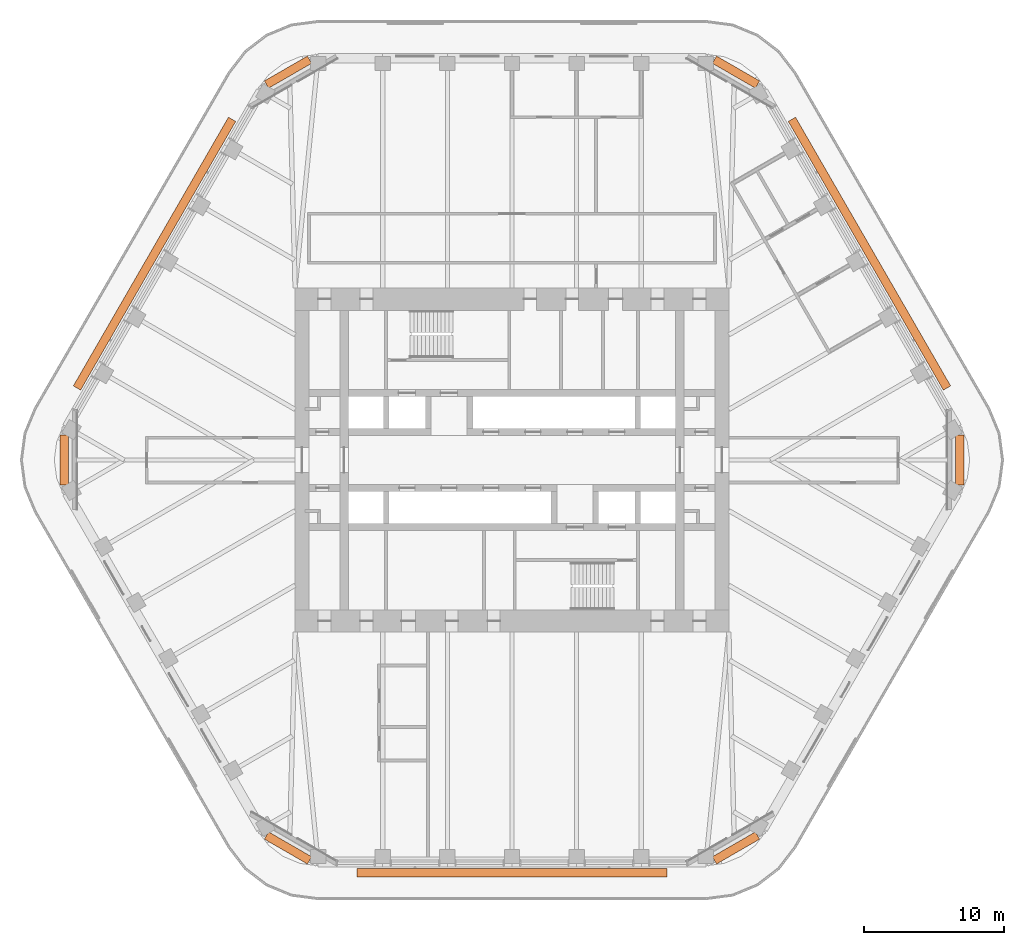
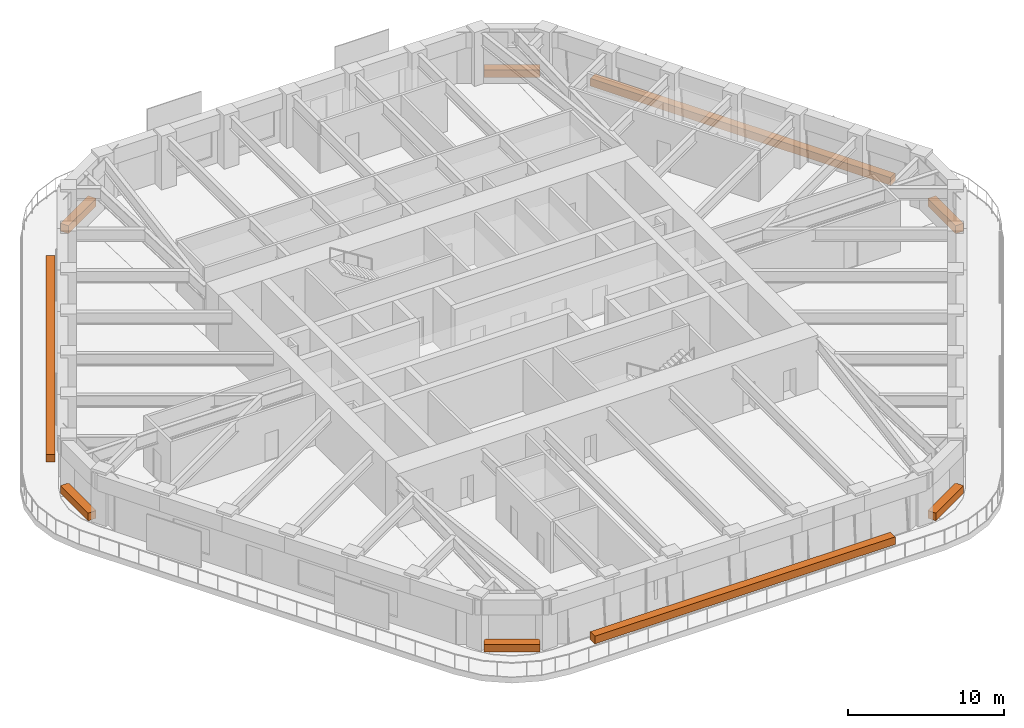
# One storey, part 20 of 20: 9 proxies.
"""IFC4 building model written with IfcOpenShell, lengths in metres."""

from ifc_helpers import new_model, si_unit, direction, frame, origin, origin_2d, place, context, subcontext, project, spatial, rectangle, extrude, material, element, save


model = new_model("IFC4")

# Units and contexts
model_context = context("Model", 3, precision=1e-05, world=origin(), true_north=direction((0.0, 1.0)))
body_context = subcontext(model_context, "Body", "Model", "MODEL_VIEW")
ifc_project = project(units=[si_unit("LENGTHUNIT", "METRE"), si_unit("AREAUNIT", "SQUARE_METRE"), si_unit("VOLUMEUNIT", "CUBIC_METRE"), si_unit("PLANEANGLEUNIT", "RADIAN"), si_unit("MASSUNIT", "GRAM", prefix="KILO")], contexts=[model_context])

# Site, building, storey
site_placement = place(None, origin())
site = spatial("IfcSite", under=ifc_project, at=site_placement, CompositionType="ELEMENT")
building_placement = place(site_placement, origin())
building = spatial("IfcBuilding", under=site, at=building_placement, Name="Tarfa Lantern Tower", CompositionType="ELEMENT")
storey_placement = place(building_placement, frame((0.0, 0.0, 291.10009765625)))
storey = spatial("IfcBuildingStorey", under=building, at=storey_placement, Name="L66", CompositionType="ELEMENT", Elevation=291.10009765625)

# Proxies
ifc_material = material(Name="Planting bed")
for number, where, z_axis, x_axis, name in (
    (1, (16.006591796875, 27.72412109375, 0.039794921875), (0.0, 0.0, 1.0), (-0.866025403784, 0.5, 0.0), "Sky garden planter"),
    (2, (-16.006591796875, 27.72412109375, 0.039794921875), (0.0, 0.0, 1.0), (-0.866025403784, -0.5, 0.0), "Sky garden planter"),
    (3, (-32.012939453125, 0.0, 0.039794921875), (0.0, 0.0, 1.0), (0.0, -1.0, 0.0), "Sky garden planter"),
    (4, (-16.006591796875, -27.72412109375, 0.039794921875), (0.0, 0.0, 1.0), (0.866025403784, -0.5, 0.0), "Sky garden planter"),
    (5, (16.006591796875, -27.72412109375, 0.039794921875), (0.0, 0.0, 1.0), (0.866025403784, 0.5, 0.0), "Sky garden planter"),
    (6, (32.012939453125, 0.0, 0.039794921875), (0.0, 0.0, 1.0), (0.0, 1.0, 0.0), "Sky garden planter"),
):
    element("IfcBuildingElementProxy", number, at=place(storey_placement, frame(where, z_axis=z_axis, x_axis=x_axis)), inside=storey, material=ifc_material, Name=name, ObjectType="PLANTER", PredefinedType="USERDEFINED", context=body_context, shape_type="SweptSolid", body=[
        extrude(rectangle(XDim=3.551025390625, YDim=0.60009765625, at=origin_2d()), origin(), (0.0, 0.0, 1.0), 0.60009765625),
    ])
for number, where, z_axis, x_axis, name in (
    (7, (25.5478515625, 14.75, -0.000244140625), (0.0, 0.0, 1.0), (-0.5, 0.866025403784, 0.0), "Balcony planter"),
    (8, (-25.5478515625, 14.75, -0.000244140625), (0.0, 0.0, 1.0), (-0.5, -0.866025403784, 0.0), "Balcony planter"),
    (9, (0.0, -29.5, -0.000244140625), (0.0, 0.0, 1.0), (1.0, 0.0, 0.0), "Balcony planter"),
):
    element("IfcBuildingElementProxy", number, at=place(storey_placement, frame(where, z_axis=z_axis, x_axis=x_axis)), inside=storey, material=ifc_material, Name=name, ObjectType="PLANTER", PredefinedType="USERDEFINED", context=body_context, shape_type="SweptSolid", body=[
        extrude(rectangle(XDim=22.170166015625, YDim=0.60009765625, at=origin_2d()), origin(), (0.0, 0.0, 1.0), 0.60009765625),
    ])

save(model, "model.ifc")
